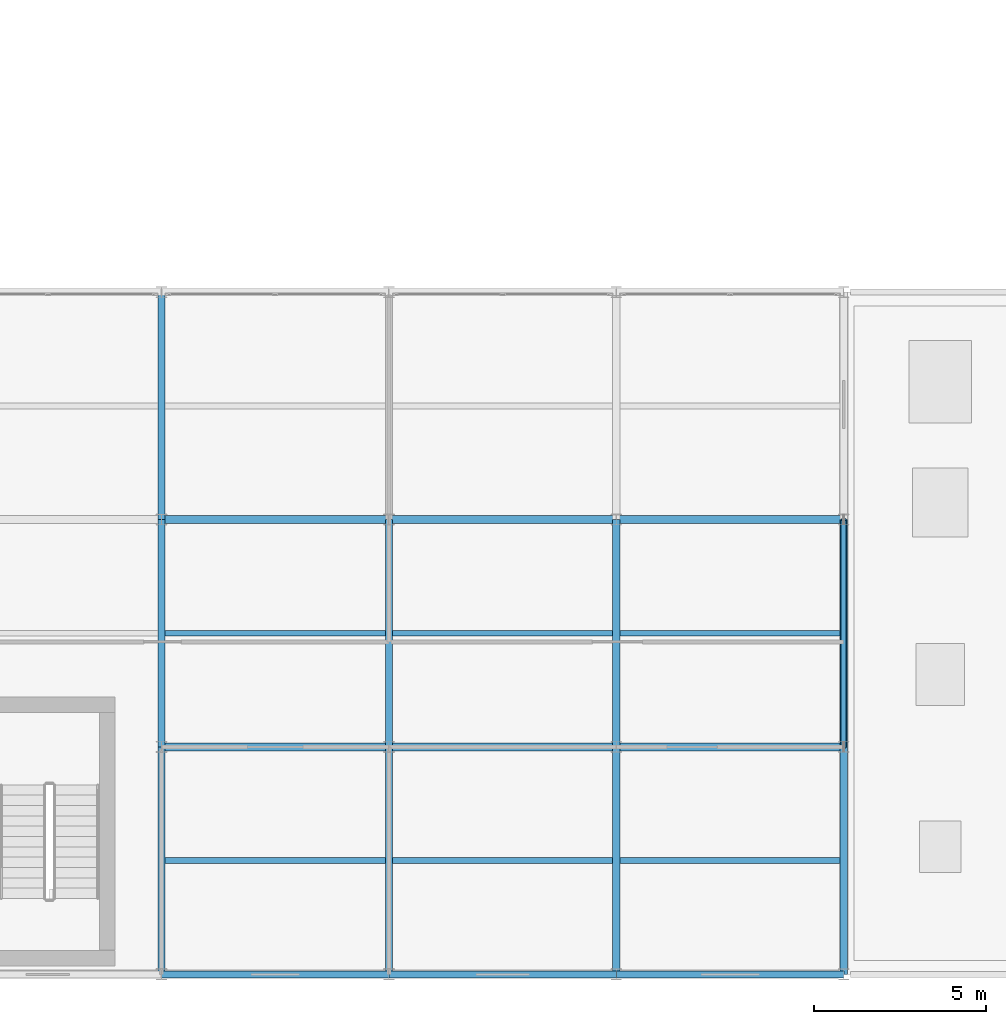
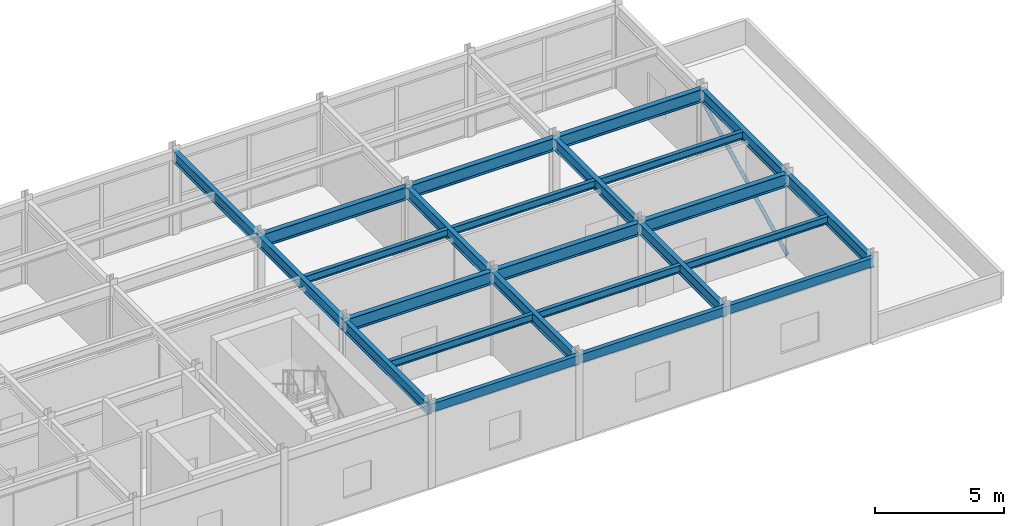
# One storey, part 75 of 106: 24 beams, 1 member.
"""IFC4 building model written with IfcOpenShell, lengths in metres."""

from ifc_helpers import new_model, si_unit, direction, frame, origin, origin_2d, place, context, subcontext, project, spatial, hollow_rectangle, hollow_circle, i_section, extrude, material, material_profile, profile_set, type_object, element, save


model = new_model("IFC4")

# Units and contexts
model_context = context("Model", 3, precision=1e-05, world=origin(), true_north=direction((0.0, 1.0)))
body_context = subcontext(model_context, "Body", "Model", "MODEL_VIEW")
ifc_project = project(units=[si_unit("LENGTHUNIT", "METRE"), si_unit("AREAUNIT", "SQUARE_METRE"), si_unit("VOLUMEUNIT", "CUBIC_METRE"), si_unit("PLANEANGLEUNIT", "RADIAN"), si_unit("MASSUNIT", "GRAM", prefix="KILO")], contexts=[model_context])

# Site, building, storey
site_placement = place(None, origin())
site = spatial("IfcSite", under=ifc_project, at=site_placement, CompositionType="ELEMENT")
building_placement = place(site_placement, origin())
building = spatial("IfcBuilding", under=site, at=building_placement, Name="Karori Crest Natural Sciences Institute", CompositionType="ELEMENT")
storey_placement = place(building_placement, frame((0.0, 0.0, 25.89990234375)))
storey = spatial("IfcBuildingStorey", under=building, at=storey_placement, Name="L06", CompositionType="ELEMENT", Elevation=25.89990234375)

# Beams
ifc_material_1 = material(Name="Structural steel AS/NZS 3679.1 Grade 350", Category="steel")
ifc_material_profile_1 = material_profile(ifc_material_1, i_section(OverallWidth=0.22900390625, OverallDepth=0.612060546875, WebThickness=0.011962890625, FlangeThickness=0.01953125, FilletRadius=0.013916015625, at=origin_2d()), Name="610UB125")
ifc_profile_set_1 = profile_set([ifc_material_profile_1], Name="Structural steel AS/NZS 3679.1 Grade 350")
beam_type_1 = type_object("IfcBeamType", Name="BT-04", PredefinedType="BEAM", material=ifc_profile_set_1)
beam_1_placement = place(storey_placement, frame((136.60009765625, 7.39990234375, 3.614013671875), z_axis=(1.0, 0.0, 0.0), x_axis=(0.0, 1.0, 0.0)))
element("IfcBeam", 1, at=beam_1_placement, inside=storey, type_object=beam_type_1, Name="Beam B-2552", PredefinedType="BEAM", context=body_context, shape_type="SweptSolid", body=[
    extrude(i_section(OverallWidth=0.22900390625, OverallDepth=0.612060546875, WebThickness=0.011962890625, FlangeThickness=0.01953125, FilletRadius=0.013916015625, at=origin_2d()), origin(), (0.0, 0.0, 1.0), 6.599853515625),
])
beam_2_placement = place(storey_placement, frame((143.199951171875, 7.39990234375, 3.614013671875), z_axis=(1.0, 0.0, 0.0), x_axis=(0.0, 1.0, 0.0)))
element("IfcBeam", 2, at=beam_2_placement, inside=storey, type_object=beam_type_1, Name="Beam B-2553", PredefinedType="BEAM", context=body_context, shape_type="SweptSolid", body=[
    extrude(i_section(OverallWidth=0.22900390625, OverallDepth=0.612060546875, WebThickness=0.011962890625, FlangeThickness=0.01953125, FilletRadius=0.013916015625, at=origin_2d()), origin(), (0.0, 0.0, 1.0), 6.60009765625),
])
for number, where, z_axis, x_axis, name in (
    (3, (149.800048828125, 7.39990234375, 3.614013671875), (1.0, 0.0, 0.0), (0.0, 1.0, 0.0), "Beam B-2554"),
    (4, (136.60009765625, 14.0, 3.614013671875), (1.0, 0.0, 0.0), (0.0, 1.0, 0.0), "Beam B-2560"),
):
    element("IfcBeam", number, at=place(storey_placement, frame(where, z_axis=z_axis, x_axis=x_axis)), inside=storey, type_object=beam_type_1, Name=name, PredefinedType="BEAM", context=body_context, shape_type="SweptSolid", body=[
        extrude(i_section(OverallWidth=0.22900390625, OverallDepth=0.612060546875, WebThickness=0.011962890625, FlangeThickness=0.01953125, FilletRadius=0.013916015625, at=origin_2d()), origin(), (0.0, 0.0, 1.0), 6.599853515625),
    ])
beam_3_placement = place(storey_placement, frame((143.199951171875, 14.0, 3.614013671875), z_axis=(1.0, 0.0, 0.0), x_axis=(0.0, 1.0, 0.0)))
element("IfcBeam", 5, at=beam_3_placement, inside=storey, type_object=beam_type_1, Name="Beam B-2561", PredefinedType="BEAM", context=body_context, shape_type="SweptSolid", body=[
    extrude(i_section(OverallWidth=0.22900390625, OverallDepth=0.612060546875, WebThickness=0.011962890625, FlangeThickness=0.01953125, FilletRadius=0.013916015625, at=origin_2d()), origin(), (0.0, 0.0, 1.0), 6.60009765625),
])
beam_4_placement = place(storey_placement, frame((149.800048828125, 14.0, 3.614013671875), z_axis=(1.0, 0.0, 0.0), x_axis=(0.0, 1.0, 0.0)))
element("IfcBeam", 6, at=beam_4_placement, inside=storey, type_object=beam_type_1, Name="Beam B-2562", PredefinedType="BEAM", context=body_context, shape_type="SweptSolid", body=[
    extrude(i_section(OverallWidth=0.22900390625, OverallDepth=0.612060546875, WebThickness=0.011962890625, FlangeThickness=0.01953125, FilletRadius=0.013916015625, at=origin_2d()), origin(), (0.0, 0.0, 1.0), 6.599853515625),
])
ifc_material_profile_2 = material_profile(ifc_material_1, i_section(OverallWidth=0.208984375, OverallDepth=0.532958984375, WebThickness=0.01025390625, FlangeThickness=0.015625, FilletRadius=0.013916015625, at=origin_2d()), Name="530UB92.4")
ifc_profile_set_2 = profile_set([ifc_material_profile_2], Name="Structural steel AS/NZS 3679.1 Grade 350")
beam_type_2 = type_object("IfcBeamType", Name="BT-05", PredefinedType="BEAM", material=ifc_profile_set_2)
beam_5_placement = place(storey_placement, frame((136.60009765625, 0.800048828125, 3.653564453125), z_axis=(0.0, 1.0, 0.0), x_axis=(-1.0, 0.0, 0.0)))
element("IfcBeam", 7, at=beam_5_placement, inside=storey, type_object=beam_type_2, Name="Beam B-2586", PredefinedType="BEAM", context=body_context, shape_type="SweptSolid", body=[
    extrude(i_section(OverallWidth=0.208984375, OverallDepth=0.532958984375, WebThickness=0.01025390625, FlangeThickness=0.015625, FilletRadius=0.013916015625, at=origin_2d()), origin(), (0.0, 0.0, 1.0), 6.599853515625),
])
for number, where, z_axis, x_axis, name in (
    (8, (136.60009765625, 7.39990234375, 3.653564453125), (0.0, 1.0, 0.0), (-1.0, 0.0, 0.0), "Beam B-2587"),
    (9, (136.60009765625, 14.0, 3.653564453125), (0.0, 1.0, 0.0), (-1.0, 0.0, 0.0), "Beam B-2588"),
):
    element("IfcBeam", number, at=place(storey_placement, frame(where, z_axis=z_axis, x_axis=x_axis)), inside=storey, type_object=beam_type_2, Name=name, PredefinedType="BEAM", context=body_context, shape_type="SweptSolid", body=[
        extrude(i_section(OverallWidth=0.208984375, OverallDepth=0.532958984375, WebThickness=0.01025390625, FlangeThickness=0.015625, FilletRadius=0.013916015625, at=origin_2d()), origin(), (0.0, 0.0, 1.0), 6.60009765625),
    ])
beam_6_placement = place(storey_placement, frame((143.199951171875, 0.800048828125, 3.653564453125), z_axis=(0.0, 1.0, 0.0), x_axis=(-1.0, 0.0, 0.0)))
element("IfcBeam", 10, at=beam_6_placement, inside=storey, type_object=beam_type_2, Name="Beam B-2589", PredefinedType="BEAM", context=body_context, shape_type="SweptSolid", body=[
    extrude(i_section(OverallWidth=0.208984375, OverallDepth=0.532958984375, WebThickness=0.01025390625, FlangeThickness=0.015625, FilletRadius=0.013916015625, at=origin_2d()), origin(), (0.0, 0.0, 1.0), 6.599853515625),
])
beam_7_placement = place(storey_placement, frame((143.199951171875, 7.39990234375, 3.653564453125), z_axis=(0.0, 1.0, 0.0), x_axis=(-1.0, 0.0, 0.0)))
element("IfcBeam", 11, at=beam_7_placement, inside=storey, type_object=beam_type_2, Name="Beam B-2590", PredefinedType="BEAM", context=body_context, shape_type="SweptSolid", body=[
    extrude(i_section(OverallWidth=0.208984375, OverallDepth=0.532958984375, WebThickness=0.01025390625, FlangeThickness=0.015625, FilletRadius=0.013916015625, at=origin_2d()), origin(), (0.0, 0.0, 1.0), 6.60009765625),
])
beam_8_placement = place(storey_placement, frame((149.800048828125, 0.800048828125, 3.653564453125), z_axis=(0.0, 1.0, 0.0), x_axis=(-1.0, 0.0, 0.0)))
element("IfcBeam", 12, at=beam_8_placement, inside=storey, type_object=beam_type_2, Name="Beam B-2592", PredefinedType="BEAM", context=body_context, shape_type="SweptSolid", body=[
    extrude(i_section(OverallWidth=0.208984375, OverallDepth=0.532958984375, WebThickness=0.01025390625, FlangeThickness=0.015625, FilletRadius=0.013916015625, at=origin_2d()), origin(), (0.0, 0.0, 1.0), 6.599853515625),
])
beam_9_placement = place(storey_placement, frame((149.800048828125, 7.39990234375, 3.653564453125), z_axis=(0.0, 1.0, 0.0), x_axis=(-1.0, 0.0, 0.0)))
element("IfcBeam", 13, at=beam_9_placement, inside=storey, type_object=beam_type_2, Name="Beam B-2593", PredefinedType="BEAM", context=body_context, shape_type="SweptSolid", body=[
    extrude(i_section(OverallWidth=0.208984375, OverallDepth=0.532958984375, WebThickness=0.01025390625, FlangeThickness=0.015625, FilletRadius=0.013916015625, at=origin_2d()), origin(), (0.0, 0.0, 1.0), 6.60009765625),
])
ifc_material_profile_3 = material_profile(ifc_material_1, i_section(OverallWidth=0.208984375, OverallDepth=0.532958984375, WebThickness=0.01025390625, FlangeThickness=0.015625, FilletRadius=0.013916015625, at=origin_2d()), Name="530UB92.4")
ifc_profile_set_3 = profile_set([ifc_material_profile_3], Name="Structural steel AS/NZS 3679.1 Grade 350")
beam_type_3 = type_object("IfcBeamType", Name="BT-05-EL", PredefinedType="BEAM", material=ifc_profile_set_3)
beam_10_placement = place(storey_placement, frame((156.39990234375, 0.800048828125, 3.653564453125), z_axis=(0.0, 1.0, 0.0), x_axis=(-1.0, 0.0, 0.0)))
element("IfcBeam", 14, at=beam_10_placement, inside=storey, type_object=beam_type_3, Name="Beam B-2595", PredefinedType="BEAM", context=body_context, shape_type="SweptSolid", body=[
    extrude(i_section(OverallWidth=0.208984375, OverallDepth=0.532958984375, WebThickness=0.01025390625, FlangeThickness=0.015625, FilletRadius=0.013916015625, at=origin_2d()), origin(), (0.0, 0.0, 1.0), 6.599853515625),
])
beam_11_placement = place(storey_placement, frame((156.39990234375, 7.39990234375, 3.653564453125), z_axis=(0.0, 1.0, 0.0), x_axis=(-1.0, 0.0, 0.0)))
element("IfcBeam", 15, at=beam_11_placement, inside=storey, type_object=beam_type_3, Name="Beam B-2596", PredefinedType="BEAM", context=body_context, shape_type="SweptSolid", body=[
    extrude(i_section(OverallWidth=0.208984375, OverallDepth=0.532958984375, WebThickness=0.01025390625, FlangeThickness=0.015625, FilletRadius=0.013916015625, at=origin_2d()), origin(), (0.0, 0.0, 1.0), 6.60009765625),
])
ifc_material_profile_4 = material_profile(ifc_material_1, i_section(OverallWidth=0.172119140625, OverallDepth=0.35888671875, WebThickness=0.008056640625, FlangeThickness=0.012939453125, FilletRadius=0.010986328125, at=origin_2d()), Name="360UB56.7")
ifc_profile_set_4 = profile_set([ifc_material_profile_4], Name="Structural steel AS/NZS 3679.1 Grade 350")
beam_type_4 = type_object("IfcBeamType", Name="BT-08", PredefinedType="BEAM", material=ifc_profile_set_4)
for number, where, z_axis, x_axis, name in (
    (16, (136.70458984375, 4.10009765625, 3.740478515625), (1.0, 0.0, 0.0), (0.0, 1.0, 0.0), "Beam B-2609"),
    (17, (136.70458984375, 10.699951171875, 3.740478515625), (1.0, 0.0, 0.0), (0.0, 1.0, 0.0), "Beam B-2610"),
):
    element("IfcBeam", number, at=place(storey_placement, frame(where, z_axis=z_axis, x_axis=x_axis)), inside=storey, type_object=beam_type_4, Name=name, PredefinedType="BEAM", context=body_context, shape_type="SweptSolid", body=[
        extrude(i_section(OverallWidth=0.172119140625, OverallDepth=0.35888671875, WebThickness=0.008056640625, FlangeThickness=0.012939453125, FilletRadius=0.010986328125, at=origin_2d()), origin(), (0.0, 0.0, 1.0), 6.390869140625),
    ])
for number, where, z_axis, x_axis, name in (
    (18, (143.304443359375, 4.10009765625, 3.740478515625), (1.0, 0.0, 0.0), (0.0, 1.0, 0.0), "Beam B-2612"),
    (19, (143.304443359375, 10.699951171875, 3.740478515625), (1.0, 0.0, 0.0), (0.0, 1.0, 0.0), "Beam B-2613"),
):
    element("IfcBeam", number, at=place(storey_placement, frame(where, z_axis=z_axis, x_axis=x_axis)), inside=storey, type_object=beam_type_4, Name=name, PredefinedType="BEAM", context=body_context, shape_type="SweptSolid", body=[
        extrude(i_section(OverallWidth=0.172119140625, OverallDepth=0.35888671875, WebThickness=0.008056640625, FlangeThickness=0.012939453125, FilletRadius=0.010986328125, at=origin_2d()), origin(), (0.0, 0.0, 1.0), 6.39111328125),
    ])
for number, where, z_axis, x_axis, name in (
    (20, (149.904541015625, 4.10009765625, 3.740478515625), (1.0, 0.0, 0.0), (0.0, 1.0, 0.0), "Beam B-2615"),
    (21, (149.904541015625, 10.699951171875, 3.740478515625), (1.0, 0.0, 0.0), (0.0, 1.0, 0.0), "Beam B-2616"),
):
    element("IfcBeam", number, at=place(storey_placement, frame(where, z_axis=z_axis, x_axis=x_axis)), inside=storey, type_object=beam_type_4, Name=name, PredefinedType="BEAM", context=body_context, shape_type="SweptSolid", body=[
        extrude(i_section(OverallWidth=0.172119140625, OverallDepth=0.35888671875, WebThickness=0.008056640625, FlangeThickness=0.012939453125, FilletRadius=0.010986328125, at=origin_2d()), origin(), (0.0, 0.0, 1.0), 6.390869140625),
    ])
ifc_material_2 = material(Name="Hollow structural steel AS/NZS 1163 Grade C350", Category="steel")
ifc_material_profile_5 = material_profile(ifc_material_2, hollow_rectangle(XDim=0.199951171875, YDim=0.39990234375, WallThickness=0.012451171875, at=origin_2d()), Name="RHS400x200x12.5")
ifc_profile_set_5 = profile_set([ifc_material_profile_5], Name="Hollow structural steel AS/NZS 1163 Grade C350")
beam_type_5 = type_object("IfcBeamType", Name="BT-14", PredefinedType="SPANDREL", material=ifc_profile_set_5)
beam_12_placement = place(storey_placement, frame((136.60009765625, 0.800048828125, 3.72021484375), z_axis=(1.0, 0.0, 0.0), x_axis=(0.0, 1.0, 0.0)))
element("IfcBeam", 22, at=beam_12_placement, inside=storey, type_object=beam_type_5, Name="Beam B-2546", PredefinedType="SPANDREL", context=body_context, shape_type="SweptSolid", body=[
    extrude(hollow_rectangle(XDim=0.199951171875, YDim=0.39990234375, WallThickness=0.012451171875, at=origin_2d()), origin(), (0.0, 0.0, 1.0), 6.599853515625),
])
beam_13_placement = place(storey_placement, frame((143.199951171875, 0.800048828125, 3.72021484375), z_axis=(1.0, 0.0, 0.0), x_axis=(0.0, 1.0, 0.0)))
element("IfcBeam", 23, at=beam_13_placement, inside=storey, type_object=beam_type_5, Name="Beam B-2547", PredefinedType="SPANDREL", context=body_context, shape_type="SweptSolid", body=[
    extrude(hollow_rectangle(XDim=0.199951171875, YDim=0.39990234375, WallThickness=0.012451171875, at=origin_2d()), origin(), (0.0, 0.0, 1.0), 6.60009765625),
])
beam_14_placement = place(storey_placement, frame((149.800048828125, 0.800048828125, 3.72021484375), z_axis=(1.0, 0.0, 0.0), x_axis=(0.0, 1.0, 0.0)))
element("IfcBeam", 24, at=beam_14_placement, inside=storey, type_object=beam_type_5, Name="Beam B-2548", PredefinedType="SPANDREL", context=body_context, shape_type="SweptSolid", body=[
    extrude(hollow_rectangle(XDim=0.199951171875, YDim=0.39990234375, WallThickness=0.012451171875, at=origin_2d()), origin(), (0.0, 0.0, 1.0), 6.599853515625),
])

# Member
ifc_material_profile_6 = material_profile(ifc_material_2, hollow_circle(Radius=0.084228515625, WallThickness=0.007080078125, at=origin_2d()), Name="CHS168.3x7.1")
ifc_profile_set_6 = profile_set([ifc_material_profile_6], Name="Hollow structural steel AS/NZS 1163 Grade C350")
member_type = type_object("IfcMemberType", Name="MT-03", PredefinedType="BRACE", material=ifc_profile_set_6)
member_placement = place(storey_placement, frame((156.39990234375, 7.39990234375, 0.010009765625), z_axis=(0.0, 0.893990252714, 0.448086406905), x_axis=(-1.0, 0.0, 0.0)))
element("IfcMember", 25, at=member_placement, inside=storey, type_object=member_type, Name="Diagonal Brace M-0452", PredefinedType="BRACE", context=body_context, shape_type="SweptSolid", body=[
    extrude(hollow_circle(Radius=0.084228515625, WallThickness=0.007080078125, at=origin_2d()), origin(), (0.0, 0.0, 1.0), 7.3828125),
])

save(model, "model.ifc")
